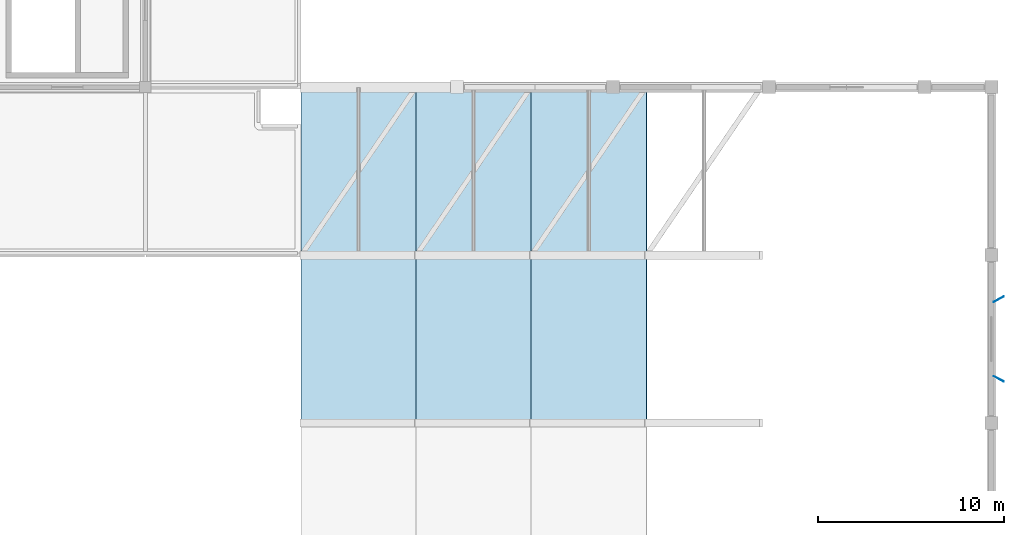
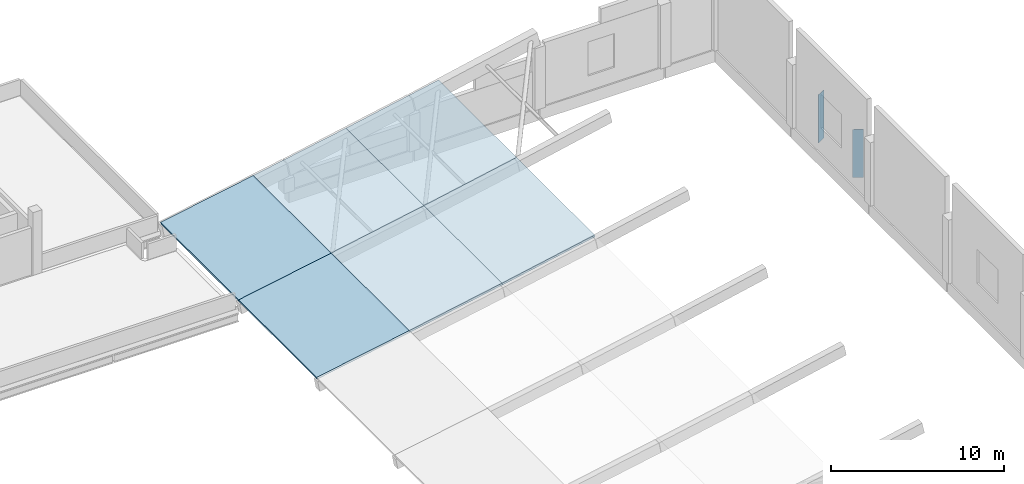
# One storey, part 12 of 34: 6 slabs, 2 plates.
"""IFC4 building model written with IfcOpenShell, lengths in metres."""

from ifc_helpers import new_model, si_unit, direction, frame, origin, origin_2d, place, context, subcontext, project, spatial, polyline, rectangle, outline, extrude, material, layer, layer_set, type_object, element, save


model = new_model("IFC4")

# Units and contexts
model_context = context("Model", 3, precision=1e-05, world=origin(), true_north=direction((0.0, 1.0)))
body_context = subcontext(model_context, "Body", "Model", "MODEL_VIEW")
ifc_project = project(units=[si_unit("LENGTHUNIT", "METRE"), si_unit("AREAUNIT", "SQUARE_METRE"), si_unit("VOLUMEUNIT", "CUBIC_METRE"), si_unit("PLANEANGLEUNIT", "RADIAN"), si_unit("MASSUNIT", "GRAM", prefix="KILO")], contexts=[model_context])

# Site, building, storey
site_placement = place(None, origin())
site = spatial("IfcSite", under=ifc_project, at=site_placement, CompositionType="ELEMENT")
building_placement = place(site_placement, origin())
building = spatial("IfcBuilding", under=site, at=building_placement, Name="Khurvash Pelagic Aquarium", CompositionType="ELEMENT")
storey_placement = place(building_placement, frame((0.0, 0.0, 15.60009765625)))
storey = spatial("IfcBuildingStorey", under=building, at=storey_placement, Name="L03", CompositionType="ELEMENT", Elevation=15.60009765625)

# Slabs
ifc_material_1 = material(Name="Steel-fibre concrete C40/50", Category="concrete")
ifc_layer_1 = layer(ifc_material_1, 0.14990234375)
ifc_layer_set_1 = layer_set([ifc_layer_1], Name="Steel-fibre concrete C40/50")
slab_type_1 = type_object("IfcSlabType", Name="RS-150", PredefinedType="ROOF", material=ifc_layer_set_1)
slab_1_placement = place(storey_placement, frame((126.0, 65.949951171875, 0.599853515625), z_axis=(-0.18086177632, 0.0, 0.983508524552), x_axis=(0.983508524552, 0.0, 0.18086177632)))
element("IfcSlab", 1, at=slab_1_placement, inside=storey, type_object=slab_type_1, Name="Main Ocean Tank Wave Shell Roof Strip RS-150 Bay 6.1", PredefinedType="ROOF", context=body_context, shape_type="SweptSolid", body=[
    extrude(outline(polyline([(0.0, 0.0), (6.303911981545761, 0.0), (6.303911981545761, 9.050048828125), (0.0, 9.050048828125), (0.0, 0.0)])), origin(), (0.0, 0.0, -1.0), 0.14990234375),
])
slab_2_placement = place(storey_placement, frame((132.199951171875, 65.949951171875, 1.739990234375), z_axis=(-0.186957456135, 0.0, 0.982368011285), x_axis=(0.982368011285, 0.0, 0.186957456135)))
element("IfcSlab", 2, at=slab_2_placement, inside=storey, type_object=slab_type_1, Name="Main Ocean Tank Wave Shell Roof Strip RS-150 Bay 6.2", PredefinedType="ROOF", context=body_context, shape_type="SweptSolid", body=[
    extrude(outline(polyline([(0.0, 0.0), (6.311230720721767, 0.0), (6.311230720721767, 9.050048828125), (0.0, 9.050048828125), (0.0, 0.0)])), origin(), (0.0, 0.0, -1.0), 0.14990234375),
])
slab_3_placement = place(storey_placement, frame((138.39990234375, 65.949951171875, 2.919921875), z_axis=(-0.19610870981, 0.0, 0.980582160727), x_axis=(0.980582160727, 0.0, 0.19610870981)))
element("IfcSlab", 3, at=slab_3_placement, inside=storey, type_object=slab_type_1, Name="Main Ocean Tank Wave Shell Roof Strip RS-150 Bay 6.3", PredefinedType="ROOF", context=body_context, shape_type="SweptSolid", body=[
    extrude(outline(polyline([(0.0, 0.0), (6.322973801502925, 0.0), (6.322973801502925, 9.050048828125002), (0.0, 9.050048828125002), (0.0, 0.0)])), origin(), (0.0, 0.0, -1.0), 0.14990234375),
])
ifc_layer_2 = layer(ifc_material_1, 0.1650390625)
ifc_layer_set_2 = layer_set([ifc_layer_2], Name="Steel-fibre concrete C40/50")
slab_type_2 = type_object("IfcSlabType", Name="RS-165", PredefinedType="ROOF", material=ifc_layer_set_2)
slab_4_placement = place(storey_placement, frame((126.0, 75.0, 0.599853515625), z_axis=(-0.18086177632, 0.0, 0.983508524552), x_axis=(0.983508524552, 0.0, 0.18086177632)))
element("IfcSlab", 4, at=slab_4_placement, inside=storey, type_object=slab_type_2, Name="Main Ocean Tank Wave Shell Roof Strip RS-165 Bay 7.1", PredefinedType="ROOF", context=body_context, shape_type="SweptSolid", body=[
    extrude(outline(polyline([(0.0, 0.0), (6.303911981545761, 0.0), (6.303911981545761, 9.050048828125), (0.0, 9.050048828125), (0.0, 0.0)])), origin(), (0.0, 0.0, -1.0), 0.1650390625),
])
slab_5_placement = place(storey_placement, frame((132.199951171875, 75.0, 1.739990234375), z_axis=(-0.186957456135, 0.0, 0.982368011285), x_axis=(0.982368011285, 0.0, 0.186957456135)))
element("IfcSlab", 5, at=slab_5_placement, inside=storey, type_object=slab_type_2, Name="Main Ocean Tank Wave Shell Roof Strip RS-165 Bay 7.2", PredefinedType="ROOF", context=body_context, shape_type="SweptSolid", body=[
    extrude(outline(polyline([(0.0, 0.0), (6.311230720721767, 0.0), (6.311230720721767, 9.050048828125), (0.0, 9.050048828125), (0.0, 0.0)])), origin(), (0.0, 0.0, -1.0), 0.1650390625),
])
slab_6_placement = place(storey_placement, frame((138.39990234375, 75.0, 2.919921875), z_axis=(-0.19610870981, 0.0, 0.980582160727), x_axis=(0.980582160727, 0.0, 0.19610870981)))
element("IfcSlab", 6, at=slab_6_placement, inside=storey, type_object=slab_type_2, Name="Main Ocean Tank Wave Shell Roof Strip RS-165 Bay 7.3", PredefinedType="ROOF", context=body_context, shape_type="SweptSolid", body=[
    extrude(outline(polyline([(0.0, 0.0), (6.322973801502925, 0.0), (6.322973801502925, 9.050048828125002), (0.0, 9.050048828125002), (0.0, 0.0)])), origin(), (0.0, 0.0, -1.0), 0.1650390625),
])

# Plates
ifc_material_2 = material(Name="Anodised aluminium AW-5005", Category="aluminium")
ifc_layer_3 = layer(ifc_material_2, 0.02392578125)
ifc_layer_set_3 = layer_set([ifc_layer_3], Name="Anodised aluminium AW-5005")
plate_type = type_object("IfcPlateType", Name="SP-01", PredefinedType="SHEET", material=ifc_layer_set_3)
for number, where, z_axis, x_axis, name in (
    (7, (163.597900390625, 68.324951171875, 0.14990234375), (0.0, 0.0, 1.0), (0.882947592859, -0.469471562786, 0.0), "L03 Parametric Folded Aluminium Solar Screen Fin SP-01 0157"),
    (8, (163.597900390625, 72.625, 0.14990234375), (0.0, 0.0, 1.0), (0.882947592859, 0.469471562786, 0.0), "L03 Parametric Folded Aluminium Solar Screen Fin SP-01 0158"),
):
    element("IfcPlate", number, at=place(storey_placement, frame(where, z_axis=z_axis, x_axis=x_axis)), inside=storey, type_object=plate_type, Name=name, PredefinedType="SHEET", context=body_context, shape_type="SweptSolid", body=[
        extrude(rectangle(XDim=0.6201171875, YDim=0.02392578125, at=origin_2d()), origin(), (0.0, 0.0, 1.0), 3.39990234375),
    ])

save(model, "model.ifc")
